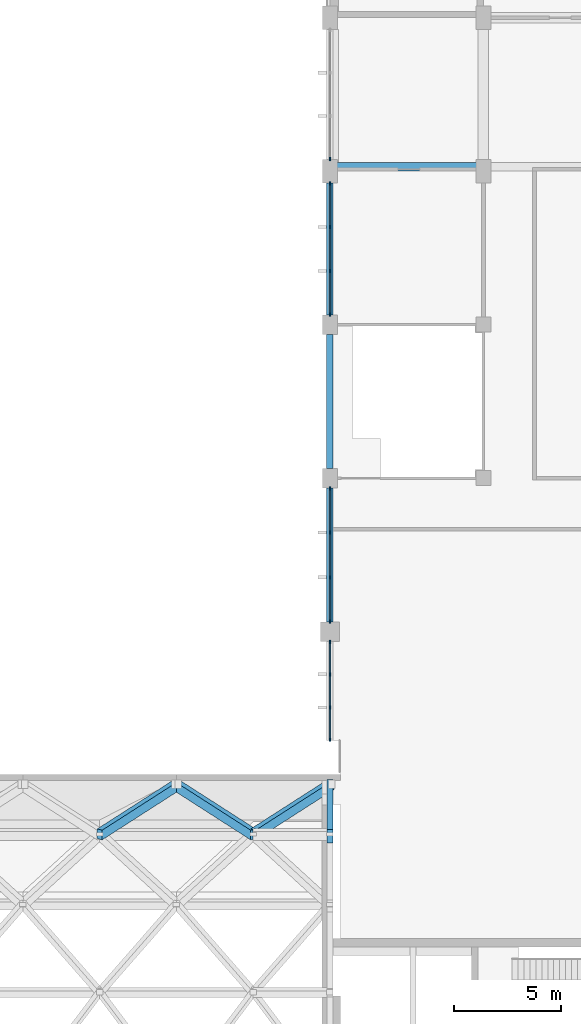
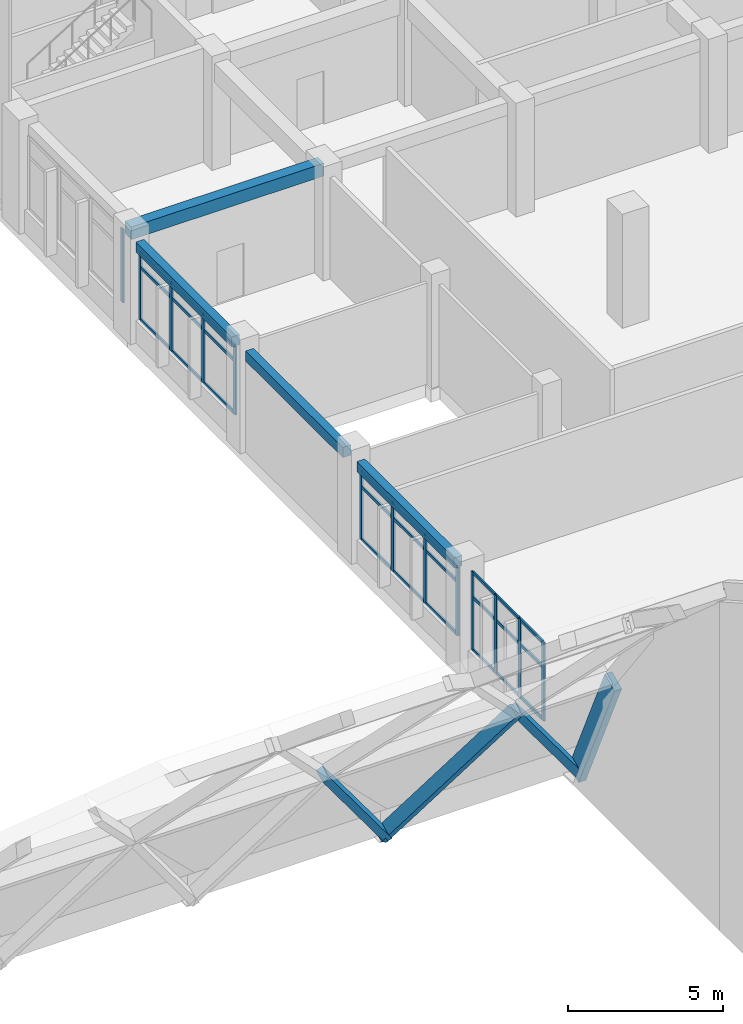
# One storey, part 15 of 52: 43 members, 5 beams, 4 elements without a shape of their own.
"""IFC4 building model written with IfcOpenShell, lengths in metres."""

from ifc_helpers import new_model, si_unit, direction, frame, origin, origin_2d, place, context, subcontext, project, spatial, rectangle, extrude, material, layer, layer_set, material_profile, profile_set, type_object, element, aggregate, save


model = new_model("IFC4")

# Units and contexts
model_context = context("Model", 3, precision=1e-05, world=origin(), true_north=direction((0.0, 1.0)))
body_context = subcontext(model_context, "Body", "Model", "MODEL_VIEW")
ifc_project = project(units=[si_unit("LENGTHUNIT", "METRE"), si_unit("AREAUNIT", "SQUARE_METRE"), si_unit("VOLUMEUNIT", "CUBIC_METRE"), si_unit("PLANEANGLEUNIT", "RADIAN"), si_unit("MASSUNIT", "GRAM", prefix="KILO")], contexts=[model_context])

# Site, building, storey
site_placement = place(None, origin())
site = spatial("IfcSite", under=ifc_project, at=site_placement, CompositionType="ELEMENT")
building_placement = place(site_placement, origin())
building = spatial("IfcBuilding", under=site, at=building_placement, Name="Vermilion Court Aquatics Centre", CompositionType="ELEMENT")
storey_placement = place(building_placement, frame((0.0, 0.0, 12.0)))
storey = spatial("IfcBuildingStorey", under=building, at=storey_placement, Name="L02", CompositionType="ELEMENT", Elevation=12.0)

# Beam
ifc_material_1 = material(Name="Concrete 6000 psi", Category="concrete")
ifc_material_profile_1 = material_profile(ifc_material_1, rectangle(XDim=0.39990234375, YDim=0.5, at=origin_2d()), Name="RC 400x500")
ifc_profile_set_1 = profile_set([ifc_material_profile_1], Name="Concrete 6000 psi")
beam_type_1 = type_object("IfcBeamType", Name="North block spandrel beam 400x500", PredefinedType="BEAM", material=ifc_profile_set_1)
beam_1_placement = place(storey_placement, frame((144.0, 93.800048828125, 3.949951171875), z_axis=(1.0, 0.0, 0.0), x_axis=(0.0, 1.0, 0.0)))
element("IfcBeam", 1, at=beam_1_placement, inside=storey, type_object=beam_type_1, Name="Spandrel beam L03 x93.6", PredefinedType="BEAM", context=body_context, shape_type="SweptSolid", body=[
    extrude(rectangle(XDim=0.39990234375, YDim=0.5, at=origin_2d()), origin(), (0.0, 0.0, 1.0), 7.199951171875),
])

# Curtain wall, members
ifc_material_2 = material(Name="Aluminium 6063-T5", Category="aluminium")
ifc_layer = layer(ifc_material_2, 0.14990234375)
ifc_layer_set = layer_set([ifc_layer], Name="Podium curtain wall bay, 1800 module")
curtain_wall_type = type_object("IfcCurtainWallType", Name="Podium curtain wall bay, 1800 module", PredefinedType="NOTDEFINED", material=ifc_layer_set)
curtain_wall_1_placement = place(storey_placement, origin())
curtain_wall_1 = element("IfcCurtainWall", 2, at=curtain_wall_1_placement, inside=storey, type_object=curtain_wall_type, Name="Curtain wall L02", PredefinedType="NOTDEFINED")
ifc_material_3 = material(Name="Aluminium 6063-T5", Category="aluminium")
ifc_material_profile_2 = material_profile(ifc_material_3, rectangle(XDim=0.06005859375, YDim=0.159912109375, at=origin_2d()), Name="Mullion 60x160")
ifc_profile_set_2 = profile_set([ifc_material_profile_2], Name="Aluminium 6063-T5")
member_type_1 = type_object("IfcMemberType", Name="Podium curtain wall mullion 60x160", PredefinedType="MULLION", material=ifc_profile_set_2)
member_1_placement = place(storey_placement, frame((144.0, 66.929931640625, 0.89990234375), z_axis=(0.0, 0.0, 1.0), x_axis=(-1.0, 0.0, 0.0)))
member_1 = element("IfcMember", 3, at=member_1_placement, type_object=member_type_1, Name="PG2 mullion 1", PredefinedType="MULLION", context=body_context, shape_type="SweptSolid", body=[
    extrude(rectangle(XDim=0.06005859375, YDim=0.159912109375, at=origin_2d()), origin(), (0.0, 0.0, 1.0), 3.10009765625),
])
member_2_placement = place(storey_placement, frame((144.0, 68.449951171875, 0.89990234375), z_axis=(0.0, 0.0, 1.0), x_axis=(-1.0, 0.0, 0.0)))
member_2 = element("IfcMember", 4, at=member_2_placement, type_object=member_type_1, Name="PG2 mullion 2", PredefinedType="MULLION", context=body_context, shape_type="SweptSolid", body=[
    extrude(rectangle(XDim=0.06005859375, YDim=0.159912109375, at=origin_2d()), origin(), (0.0, 0.0, 1.0), 3.10009765625),
])
member_3_placement = place(storey_placement, frame((144.0, 70.0, 0.89990234375), z_axis=(0.0, 0.0, 1.0), x_axis=(-1.0, 0.0, 0.0)))
member_3 = element("IfcMember", 5, at=member_3_placement, type_object=member_type_1, Name="PG2 mullion 3", PredefinedType="MULLION", context=body_context, shape_type="SweptSolid", body=[
    extrude(rectangle(XDim=0.06005859375, YDim=0.159912109375, at=origin_2d()), origin(), (0.0, 0.0, 1.0), 3.10009765625),
])
member_4_placement = place(storey_placement, frame((144.0, 71.52001953125, 0.89990234375), z_axis=(0.0, 0.0, 1.0), x_axis=(-1.0, 0.0, 0.0)))
member_4 = element("IfcMember", 6, at=member_4_placement, type_object=member_type_1, Name="PG2 mullion 4", PredefinedType="MULLION", context=body_context, shape_type="SweptSolid", body=[
    extrude(rectangle(XDim=0.06005859375, YDim=0.159912109375, at=origin_2d()), origin(), (0.0, 0.0, 1.0), 3.10009765625),
])

curtain_wall_2_placement = place(storey_placement, origin())
curtain_wall_2 = element("IfcCurtainWall", 7, at=curtain_wall_2_placement, inside=storey, type_object=curtain_wall_type, Name="Curtain wall L02", PredefinedType="NOTDEFINED")
member_5_placement = place(storey_placement, frame((144.0, 72.47998046875, 0.89990234375), z_axis=(0.0, 0.0, 1.0), x_axis=(-1.0, 0.0, 0.0)))
member_5 = element("IfcMember", 8, at=member_5_placement, type_object=member_type_1, Name="PG2 mullion 1", PredefinedType="MULLION", context=body_context, shape_type="SweptSolid", body=[
    extrude(rectangle(XDim=0.06005859375, YDim=0.159912109375, at=origin_2d()), origin(), (0.0, 0.0, 1.0), 2.7001953125),
])
member_6_placement = place(storey_placement, frame((144.0, 74.550048828125, 0.89990234375), z_axis=(0.0, 0.0, 1.0), x_axis=(-1.0, 0.0, 0.0)))
member_6 = element("IfcMember", 9, at=member_6_placement, type_object=member_type_1, Name="PG2 mullion 2", PredefinedType="MULLION", context=body_context, shape_type="SweptSolid", body=[
    extrude(rectangle(XDim=0.06005859375, YDim=0.159912109375, at=origin_2d()), origin(), (0.0, 0.0, 1.0), 2.7001953125),
])
member_7_placement = place(storey_placement, frame((144.0, 76.64990234375, 0.89990234375), z_axis=(0.0, 0.0, 1.0), x_axis=(-1.0, 0.0, 0.0)))
member_7 = element("IfcMember", 10, at=member_7_placement, type_object=member_type_1, Name="PG2 mullion 3", PredefinedType="MULLION", context=body_context, shape_type="SweptSolid", body=[
    extrude(rectangle(XDim=0.06005859375, YDim=0.159912109375, at=origin_2d()), origin(), (0.0, 0.0, 1.0), 2.7001953125),
])
member_8_placement = place(storey_placement, frame((144.0, 78.719970703125, 0.89990234375), z_axis=(0.0, 0.0, 1.0), x_axis=(-1.0, 0.0, 0.0)))
member_8 = element("IfcMember", 11, at=member_8_placement, type_object=member_type_1, Name="PG2 mullion 4", PredefinedType="MULLION", context=body_context, shape_type="SweptSolid", body=[
    extrude(rectangle(XDim=0.06005859375, YDim=0.159912109375, at=origin_2d()), origin(), (0.0, 0.0, 1.0), 2.7001953125),
])

curtain_wall_3_placement = place(storey_placement, origin())
curtain_wall_3 = element("IfcCurtainWall", 12, at=curtain_wall_3_placement, inside=storey, type_object=curtain_wall_type, Name="Curtain wall L02", PredefinedType="NOTDEFINED")
member_9_placement = place(storey_placement, frame((144.0, 86.8798828125, 0.89990234375), z_axis=(0.0, 0.0, 1.0), x_axis=(-1.0, 0.0, 0.0)))
member_9 = element("IfcMember", 13, at=member_9_placement, type_object=member_type_1, Name="PG2 mullion 1", PredefinedType="MULLION", context=body_context, shape_type="SweptSolid", body=[
    extrude(rectangle(XDim=0.06005859375, YDim=0.159912109375, at=origin_2d()), origin(), (0.0, 0.0, 1.0), 2.7001953125),
])
member_10_placement = place(storey_placement, frame((144.0, 88.916748046875, 0.89990234375), z_axis=(0.0, 0.0, 1.0), x_axis=(-1.0, 0.0, 0.0)))
member_10 = element("IfcMember", 14, at=member_10_placement, type_object=member_type_1, Name="PG2 mullion 2", PredefinedType="MULLION", context=body_context, shape_type="SweptSolid", body=[
    extrude(rectangle(XDim=0.06005859375, YDim=0.159912109375, at=origin_2d()), origin(), (0.0, 0.0, 1.0), 2.7001953125),
])
member_11_placement = place(storey_placement, frame((144.0, 90.9833984375, 0.89990234375), z_axis=(0.0, 0.0, 1.0), x_axis=(-1.0, 0.0, 0.0)))
member_11 = element("IfcMember", 15, at=member_11_placement, type_object=member_type_1, Name="PG2 mullion 3", PredefinedType="MULLION", context=body_context, shape_type="SweptSolid", body=[
    extrude(rectangle(XDim=0.06005859375, YDim=0.159912109375, at=origin_2d()), origin(), (0.0, 0.0, 1.0), 2.7001953125),
])
member_12_placement = place(storey_placement, frame((144.0, 93.02001953125, 0.89990234375), z_axis=(0.0, 0.0, 1.0), x_axis=(-1.0, 0.0, 0.0)))
member_12 = element("IfcMember", 16, at=member_12_placement, type_object=member_type_1, Name="PG2 mullion 4", PredefinedType="MULLION", context=body_context, shape_type="SweptSolid", body=[
    extrude(rectangle(XDim=0.06005859375, YDim=0.159912109375, at=origin_2d()), origin(), (0.0, 0.0, 1.0), 2.7001953125),
])

# Curtain wall, member
curtain_wall_4_placement = place(storey_placement, origin())
curtain_wall_4 = element("IfcCurtainWall", 17, at=curtain_wall_4_placement, inside=storey, type_object=curtain_wall_type, Name="Curtain wall L02", PredefinedType="NOTDEFINED")
member_13_placement = place(storey_placement, frame((144.0, 94.179931640625, 0.89990234375), z_axis=(0.0, 0.0, 1.0), x_axis=(-1.0, 0.0, 0.0)))
member_13 = element("IfcMember", 18, at=member_13_placement, type_object=member_type_1, Name="PG2 mullion 1", PredefinedType="MULLION", context=body_context, shape_type="SweptSolid", body=[
    extrude(rectangle(XDim=0.06005859375, YDim=0.159912109375, at=origin_2d()), origin(), (0.0, 0.0, 1.0), 2.900146484375),
])
aggregate(curtain_wall_4, [member_13])

# Member
ifc_material_4 = material(Name="Aluminium 6063-T5", Category="aluminium")
ifc_material_profile_3 = material_profile(ifc_material_4, rectangle(XDim=0.06005859375, YDim=0.1201171875, at=origin_2d()), Name="Transom 60x120")
ifc_profile_set_3 = profile_set([ifc_material_profile_3], Name="Aluminium 6063-T5")
member_type_2 = type_object("IfcMemberType", Name="Podium curtain wall transom 60x120", PredefinedType="USERDEFINED", material=ifc_profile_set_3)
member_14_placement = place(storey_placement, frame((144.0, 66.9599609375, 0.929931640625), z_axis=(0.0, 1.0, 0.0), x_axis=(-1.0, 0.0, 0.0)))
member_14 = element("IfcMember", 19, at=member_14_placement, type_object=member_type_2, Name="PG2 transom 1.1", ObjectType="TRANSOM", PredefinedType="USERDEFINED", context=body_context, shape_type="SweptSolid", body=[
    extrude(rectangle(XDim=0.06005859375, YDim=0.1201171875, at=origin_2d()), origin(), (0.0, 0.0, 1.0), 1.4599609375),
])

member_15_placement = place(storey_placement, frame((144.0, 66.9599609375, 3.0), z_axis=(0.0, 1.0, 0.0), x_axis=(-1.0, 0.0, 0.0)))
member_15 = element("IfcMember", 20, at=member_15_placement, type_object=member_type_2, Name="PG2 transom 1.2", ObjectType="TRANSOM", PredefinedType="USERDEFINED", context=body_context, shape_type="SweptSolid", body=[
    extrude(rectangle(XDim=0.06005859375, YDim=0.1201171875, at=origin_2d()), origin(), (0.0, 0.0, 1.0), 1.4599609375),
])

member_16_placement = place(storey_placement, frame((144.0, 66.9599609375, 3.969970703125), z_axis=(0.0, 1.0, 0.0), x_axis=(-1.0, 0.0, 0.0)))
member_16 = element("IfcMember", 21, at=member_16_placement, type_object=member_type_2, Name="PG2 transom 1.3", ObjectType="TRANSOM", PredefinedType="USERDEFINED", context=body_context, shape_type="SweptSolid", body=[
    extrude(rectangle(XDim=0.06005859375, YDim=0.1201171875, at=origin_2d()), origin(), (0.0, 0.0, 1.0), 1.4599609375),
])

member_17_placement = place(storey_placement, frame((144.0, 68.47998046875, 0.929931640625), z_axis=(0.0, 1.0, 0.0), x_axis=(-1.0, 0.0, 0.0)))
member_17 = element("IfcMember", 22, at=member_17_placement, type_object=member_type_2, Name="PG2 transom 2.1", ObjectType="TRANSOM", PredefinedType="USERDEFINED", context=body_context, shape_type="SweptSolid", body=[
    extrude(rectangle(XDim=0.06005859375, YDim=0.1201171875, at=origin_2d()), origin(), (0.0, 0.0, 1.0), 1.489990234375),
])

member_18_placement = place(storey_placement, frame((144.0, 68.47998046875, 3.0), z_axis=(0.0, 1.0, 0.0), x_axis=(-1.0, 0.0, 0.0)))
member_18 = element("IfcMember", 23, at=member_18_placement, type_object=member_type_2, Name="PG2 transom 2.2", ObjectType="TRANSOM", PredefinedType="USERDEFINED", context=body_context, shape_type="SweptSolid", body=[
    extrude(rectangle(XDim=0.06005859375, YDim=0.1201171875, at=origin_2d()), origin(), (0.0, 0.0, 1.0), 1.489990234375),
])

member_19_placement = place(storey_placement, frame((144.0, 68.47998046875, 3.969970703125), z_axis=(0.0, 1.0, 0.0), x_axis=(-1.0, 0.0, 0.0)))
member_19 = element("IfcMember", 24, at=member_19_placement, type_object=member_type_2, Name="PG2 transom 2.3", ObjectType="TRANSOM", PredefinedType="USERDEFINED", context=body_context, shape_type="SweptSolid", body=[
    extrude(rectangle(XDim=0.06005859375, YDim=0.1201171875, at=origin_2d()), origin(), (0.0, 0.0, 1.0), 1.489990234375),
])

member_20_placement = place(storey_placement, frame((144.0, 70.030029296875, 0.929931640625), z_axis=(0.0, 1.0, 0.0), x_axis=(-1.0, 0.0, 0.0)))
member_20 = element("IfcMember", 25, at=member_20_placement, type_object=member_type_2, Name="PG2 transom 3.1", ObjectType="TRANSOM", PredefinedType="USERDEFINED", context=body_context, shape_type="SweptSolid", body=[
    extrude(rectangle(XDim=0.06005859375, YDim=0.1201171875, at=origin_2d()), origin(), (0.0, 0.0, 1.0), 1.4599609375),
])

member_21_placement = place(storey_placement, frame((144.0, 70.030029296875, 3.0), z_axis=(0.0, 1.0, 0.0), x_axis=(-1.0, 0.0, 0.0)))
member_21 = element("IfcMember", 26, at=member_21_placement, type_object=member_type_2, Name="PG2 transom 3.2", ObjectType="TRANSOM", PredefinedType="USERDEFINED", context=body_context, shape_type="SweptSolid", body=[
    extrude(rectangle(XDim=0.06005859375, YDim=0.1201171875, at=origin_2d()), origin(), (0.0, 0.0, 1.0), 1.4599609375),
])

member_22_placement = place(storey_placement, frame((144.0, 70.030029296875, 3.969970703125), z_axis=(0.0, 1.0, 0.0), x_axis=(-1.0, 0.0, 0.0)))
member_22 = element("IfcMember", 27, at=member_22_placement, type_object=member_type_2, Name="PG2 transom 3.3", ObjectType="TRANSOM", PredefinedType="USERDEFINED", context=body_context, shape_type="SweptSolid", body=[
    extrude(rectangle(XDim=0.06005859375, YDim=0.1201171875, at=origin_2d()), origin(), (0.0, 0.0, 1.0), 1.4599609375),
])

aggregate(curtain_wall_1, [member_1, member_2, member_3, member_4, member_14, member_15, member_16, member_17, member_18, member_19, member_20, member_21, member_22])

member_23_placement = place(storey_placement, frame((144.0, 72.510009765625, 0.929931640625), z_axis=(0.0, 1.0, 0.0), x_axis=(-1.0, 0.0, 0.0)))
member_23 = element("IfcMember", 28, at=member_23_placement, type_object=member_type_2, Name="PG2 transom 1.1", ObjectType="TRANSOM", PredefinedType="USERDEFINED", context=body_context, shape_type="SweptSolid", body=[
    extrude(rectangle(XDim=0.06005859375, YDim=0.1201171875, at=origin_2d()), origin(), (0.0, 0.0, 1.0), 2.010009765625),
])

member_24_placement = place(storey_placement, frame((144.0, 72.510009765625, 3.0), z_axis=(0.0, 1.0, 0.0), x_axis=(-1.0, 0.0, 0.0)))
member_24 = element("IfcMember", 29, at=member_24_placement, type_object=member_type_2, Name="PG2 transom 1.2", ObjectType="TRANSOM", PredefinedType="USERDEFINED", context=body_context, shape_type="SweptSolid", body=[
    extrude(rectangle(XDim=0.06005859375, YDim=0.1201171875, at=origin_2d()), origin(), (0.0, 0.0, 1.0), 2.010009765625),
])

member_25_placement = place(storey_placement, frame((144.0, 72.510009765625, 3.570068359375), z_axis=(0.0, 1.0, 0.0), x_axis=(-1.0, 0.0, 0.0)))
member_25 = element("IfcMember", 30, at=member_25_placement, type_object=member_type_2, Name="PG2 transom 1.3", ObjectType="TRANSOM", PredefinedType="USERDEFINED", context=body_context, shape_type="SweptSolid", body=[
    extrude(rectangle(XDim=0.06005859375, YDim=0.1201171875, at=origin_2d()), origin(), (0.0, 0.0, 1.0), 2.010009765625),
])

member_26_placement = place(storey_placement, frame((144.0, 74.580078125, 0.929931640625), z_axis=(0.0, 1.0, 0.0), x_axis=(-1.0, 0.0, 0.0)))
member_26 = element("IfcMember", 31, at=member_26_placement, type_object=member_type_2, Name="PG2 transom 2.1", ObjectType="TRANSOM", PredefinedType="USERDEFINED", context=body_context, shape_type="SweptSolid", body=[
    extrude(rectangle(XDim=0.06005859375, YDim=0.1201171875, at=origin_2d()), origin(), (0.0, 0.0, 1.0), 2.0400390625),
])

member_27_placement = place(storey_placement, frame((144.0, 74.580078125, 3.0), z_axis=(0.0, 1.0, 0.0), x_axis=(-1.0, 0.0, 0.0)))
member_27 = element("IfcMember", 32, at=member_27_placement, type_object=member_type_2, Name="PG2 transom 2.2", ObjectType="TRANSOM", PredefinedType="USERDEFINED", context=body_context, shape_type="SweptSolid", body=[
    extrude(rectangle(XDim=0.06005859375, YDim=0.1201171875, at=origin_2d()), origin(), (0.0, 0.0, 1.0), 2.0400390625),
])

member_28_placement = place(storey_placement, frame((144.0, 74.580078125, 3.570068359375), z_axis=(0.0, 1.0, 0.0), x_axis=(-1.0, 0.0, 0.0)))
member_28 = element("IfcMember", 33, at=member_28_placement, type_object=member_type_2, Name="PG2 transom 2.3", ObjectType="TRANSOM", PredefinedType="USERDEFINED", context=body_context, shape_type="SweptSolid", body=[
    extrude(rectangle(XDim=0.06005859375, YDim=0.1201171875, at=origin_2d()), origin(), (0.0, 0.0, 1.0), 2.0400390625),
])

member_29_placement = place(storey_placement, frame((144.0, 76.679931640625, 0.929931640625), z_axis=(0.0, 1.0, 0.0), x_axis=(-1.0, 0.0, 0.0)))
member_29 = element("IfcMember", 34, at=member_29_placement, type_object=member_type_2, Name="PG2 transom 3.1", ObjectType="TRANSOM", PredefinedType="USERDEFINED", context=body_context, shape_type="SweptSolid", body=[
    extrude(rectangle(XDim=0.06005859375, YDim=0.1201171875, at=origin_2d()), origin(), (0.0, 0.0, 1.0), 2.010009765625),
])

member_30_placement = place(storey_placement, frame((144.0, 76.679931640625, 3.0), z_axis=(0.0, 1.0, 0.0), x_axis=(-1.0, 0.0, 0.0)))
member_30 = element("IfcMember", 35, at=member_30_placement, type_object=member_type_2, Name="PG2 transom 3.2", ObjectType="TRANSOM", PredefinedType="USERDEFINED", context=body_context, shape_type="SweptSolid", body=[
    extrude(rectangle(XDim=0.06005859375, YDim=0.1201171875, at=origin_2d()), origin(), (0.0, 0.0, 1.0), 2.010009765625),
])

member_31_placement = place(storey_placement, frame((144.0, 76.679931640625, 3.570068359375), z_axis=(0.0, 1.0, 0.0), x_axis=(-1.0, 0.0, 0.0)))
member_31 = element("IfcMember", 36, at=member_31_placement, type_object=member_type_2, Name="PG2 transom 3.3", ObjectType="TRANSOM", PredefinedType="USERDEFINED", context=body_context, shape_type="SweptSolid", body=[
    extrude(rectangle(XDim=0.06005859375, YDim=0.1201171875, at=origin_2d()), origin(), (0.0, 0.0, 1.0), 2.010009765625),
])

aggregate(curtain_wall_2, [member_5, member_6, member_7, member_8, member_23, member_24, member_25, member_26, member_27, member_28, member_29, member_30, member_31])

member_32_placement = place(storey_placement, frame((144.0, 86.909912109375, 0.929931640625), z_axis=(0.0, 1.0, 0.0), x_axis=(-1.0, 0.0, 0.0)))
member_32 = element("IfcMember", 37, at=member_32_placement, type_object=member_type_2, Name="PG2 transom 1.1", ObjectType="TRANSOM", PredefinedType="USERDEFINED", context=body_context, shape_type="SweptSolid", body=[
    extrude(rectangle(XDim=0.06005859375, YDim=0.1201171875, at=origin_2d()), origin(), (0.0, 0.0, 1.0), 1.976806640625),
])

member_33_placement = place(storey_placement, frame((144.0, 86.909912109375, 3.0), z_axis=(0.0, 1.0, 0.0), x_axis=(-1.0, 0.0, 0.0)))
member_33 = element("IfcMember", 38, at=member_33_placement, type_object=member_type_2, Name="PG2 transom 1.2", ObjectType="TRANSOM", PredefinedType="USERDEFINED", context=body_context, shape_type="SweptSolid", body=[
    extrude(rectangle(XDim=0.06005859375, YDim=0.1201171875, at=origin_2d()), origin(), (0.0, 0.0, 1.0), 1.976806640625),
])

member_34_placement = place(storey_placement, frame((144.0, 86.909912109375, 3.570068359375), z_axis=(0.0, 1.0, 0.0), x_axis=(-1.0, 0.0, 0.0)))
member_34 = element("IfcMember", 39, at=member_34_placement, type_object=member_type_2, Name="PG2 transom 1.3", ObjectType="TRANSOM", PredefinedType="USERDEFINED", context=body_context, shape_type="SweptSolid", body=[
    extrude(rectangle(XDim=0.06005859375, YDim=0.1201171875, at=origin_2d()), origin(), (0.0, 0.0, 1.0), 1.976806640625),
])

member_35_placement = place(storey_placement, frame((144.0, 88.94677734375, 0.929931640625), z_axis=(0.0, 1.0, 0.0), x_axis=(-1.0, 0.0, 0.0)))
member_35 = element("IfcMember", 40, at=member_35_placement, type_object=member_type_2, Name="PG2 transom 2.1", ObjectType="TRANSOM", PredefinedType="USERDEFINED", context=body_context, shape_type="SweptSolid", body=[
    extrude(rectangle(XDim=0.06005859375, YDim=0.1201171875, at=origin_2d()), origin(), (0.0, 0.0, 1.0), 2.006591796875),
])

member_36_placement = place(storey_placement, frame((144.0, 88.94677734375, 3.0), z_axis=(0.0, 1.0, 0.0), x_axis=(-1.0, 0.0, 0.0)))
member_36 = element("IfcMember", 41, at=member_36_placement, type_object=member_type_2, Name="PG2 transom 2.2", ObjectType="TRANSOM", PredefinedType="USERDEFINED", context=body_context, shape_type="SweptSolid", body=[
    extrude(rectangle(XDim=0.06005859375, YDim=0.1201171875, at=origin_2d()), origin(), (0.0, 0.0, 1.0), 2.006591796875),
])

member_37_placement = place(storey_placement, frame((144.0, 88.94677734375, 3.570068359375), z_axis=(0.0, 1.0, 0.0), x_axis=(-1.0, 0.0, 0.0)))
member_37 = element("IfcMember", 42, at=member_37_placement, type_object=member_type_2, Name="PG2 transom 2.3", ObjectType="TRANSOM", PredefinedType="USERDEFINED", context=body_context, shape_type="SweptSolid", body=[
    extrude(rectangle(XDim=0.06005859375, YDim=0.1201171875, at=origin_2d()), origin(), (0.0, 0.0, 1.0), 2.006591796875),
])

member_38_placement = place(storey_placement, frame((144.0, 91.013427734375, 0.929931640625), z_axis=(0.0, 1.0, 0.0), x_axis=(-1.0, 0.0, 0.0)))
member_38 = element("IfcMember", 43, at=member_38_placement, type_object=member_type_2, Name="PG2 transom 3.1", ObjectType="TRANSOM", PredefinedType="USERDEFINED", context=body_context, shape_type="SweptSolid", body=[
    extrude(rectangle(XDim=0.06005859375, YDim=0.1201171875, at=origin_2d()), origin(), (0.0, 0.0, 1.0), 1.9765625),
])

member_39_placement = place(storey_placement, frame((144.0, 91.013427734375, 3.0), z_axis=(0.0, 1.0, 0.0), x_axis=(-1.0, 0.0, 0.0)))
member_39 = element("IfcMember", 44, at=member_39_placement, type_object=member_type_2, Name="PG2 transom 3.2", ObjectType="TRANSOM", PredefinedType="USERDEFINED", context=body_context, shape_type="SweptSolid", body=[
    extrude(rectangle(XDim=0.06005859375, YDim=0.1201171875, at=origin_2d()), origin(), (0.0, 0.0, 1.0), 1.9765625),
])

member_40_placement = place(storey_placement, frame((144.0, 91.013427734375, 3.570068359375), z_axis=(0.0, 1.0, 0.0), x_axis=(-1.0, 0.0, 0.0)))
member_40 = element("IfcMember", 45, at=member_40_placement, type_object=member_type_2, Name="PG2 transom 3.3", ObjectType="TRANSOM", PredefinedType="USERDEFINED", context=body_context, shape_type="SweptSolid", body=[
    extrude(rectangle(XDim=0.06005859375, YDim=0.1201171875, at=origin_2d()), origin(), (0.0, 0.0, 1.0), 1.9765625),
])

aggregate(curtain_wall_3, [member_9, member_10, member_11, member_12, member_32, member_33, member_34, member_35, member_36, member_37, member_38, member_39, member_40])

# Beams
ifc_material_5 = material(Name="Concrete 5000 psi", Category="concrete")
ifc_material_profile_4 = material_profile(ifc_material_5, rectangle(XDim=0.300048828125, YDim=0.39990234375, at=origin_2d()), Name="RC 300x400")
ifc_profile_set_4 = profile_set([ifc_material_profile_4], Name="Concrete 5000 psi")
beam_type_2 = type_object("IfcBeamType", Name="Podium spandrel beam RC 300x400", PredefinedType="BEAM", material=ifc_profile_set_4)
for number, where, z_axis, x_axis, name in (
    (46, (144.0, 72.449951171875, 3.800048828125), (0.0, 1.0, 0.0), (-1.0, 0.0, 0.0), "Spandrel beam L02"),
    (47, (144.0, 79.64990234375, 3.800048828125), (0.0, 1.0, 0.0), (-1.0, 0.0, 0.0), "Spandrel beam L02"),
):
    element("IfcBeam", number, at=place(storey_placement, frame(where, z_axis=z_axis, x_axis=x_axis)), inside=storey, type_object=beam_type_2, Name=name, PredefinedType="BEAM", context=body_context, shape_type="SweptSolid", body=[
        extrude(rectangle(XDim=0.300048828125, YDim=0.39990234375, at=origin_2d()), origin(), (0.0, 0.0, 1.0), 6.300048828125),
    ])
beam_2_placement = place(storey_placement, frame((144.0, 86.85009765625, 3.800048828125), z_axis=(0.0, 1.0, 0.0), x_axis=(-1.0, 0.0, 0.0)))
element("IfcBeam", 48, at=beam_2_placement, inside=storey, type_object=beam_type_2, Name="Spandrel beam L02", PredefinedType="BEAM", context=body_context, shape_type="SweptSolid", body=[
    extrude(rectangle(XDim=0.300048828125, YDim=0.39990234375, at=origin_2d()), origin(), (0.0, 0.0, 1.0), 6.199951171875),
])
ifc_material_6 = material(Name="Glulam 24F-V4 Douglas fir", Category="wood")
ifc_material_profile_5 = material_profile(ifc_material_6, rectangle(XDim=0.27294921875, YDim=0.699951171875, at=origin_2d()), Name="GL24F 273x700")
ifc_profile_set_5 = profile_set([ifc_material_profile_5], Name="Glulam 24F-V4 Douglas fir")
beam_type_3 = type_object("IfcBeamType", Name="Roof gable arch rib GL24F 273x700", PredefinedType="BEAM", material=ifc_profile_set_5)
beam_3_placement = place(storey_placement, frame((144.0, 62.411865234375, 5.169677734375), z_axis=(0.0, 0.420151136212, -0.907454143602), x_axis=(-1.0, 0.0, 0.0)))
element("IfcBeam", 49, at=beam_3_placement, inside=storey, type_object=beam_type_3, Name="Gable arch rib GR-R11-E", PredefinedType="BEAM", context=body_context, shape_type="SweptSolid", body=[
    extrude(rectangle(XDim=0.27294921875, YDim=0.699951171875, at=origin_2d()), origin(), (0.0, 0.0, 1.0), 5.537109375),
])

# Members
ifc_material_7 = material(Name="Glulam 24F-V4 Douglas fir", Category="wood")
ifc_material_profile_6 = material_profile(ifc_material_7, rectangle(XDim=0.27294921875, YDim=0.5, at=origin_2d()), Name="GL24F 273x500")
ifc_profile_set_6 = profile_set([ifc_material_profile_6], Name="Glulam 24F-V4 Douglas fir")
member_type_3 = type_object("IfcMemberType", Name="Roof glulam diagonal GL24F 273x500", PredefinedType="BRACE", material=ifc_profile_set_6)
member_41_placement = place(storey_placement, frame((133.199951171875, 62.489990234375, 5.239013671875), z_axis=(0.547810111411, 0.35151027822, -0.759173633724), x_axis=(-0.836602702247, 0.230192523341, -0.497098904436)))
element("IfcMember", 50, at=member_41_placement, inside=storey, type_object=member_type_3, Name="Gridshell member GM-D11-33", PredefinedType="BRACE", context=body_context, shape_type="SweptSolid", body=[
    extrude(rectangle(XDim=0.27294921875, YDim=0.5, at=origin_2d()), origin(), (0.0, 0.0, 1.0), 6.72607421875),
])
member_42_placement = place(storey_placement, frame((140.39990234375, 62.489990234375, 5.239013671875), z_axis=(-0.547784705503, 0.351517267781, -0.759188729414), x_axis=(-0.83661933782, -0.230161099811, 0.497085457159)))
element("IfcMember", 51, at=member_42_placement, inside=storey, type_object=member_type_3, Name="Gridshell member GM-D11-34", PredefinedType="BRACE", context=body_context, shape_type="SweptSolid", body=[
    extrude(rectangle(XDim=0.27294921875, YDim=0.5, at=origin_2d()), origin(), (0.0, 0.0, 1.0), 6.725830078125),
])
member_43_placement = place(storey_placement, frame((140.39990234375, 62.489990234375, 5.239013671875), z_axis=(0.547810111411, 0.35151027822, -0.759173633724), x_axis=(-0.836602702247, 0.230192523341, -0.497098904436)))
element("IfcMember", 52, at=member_43_placement, inside=storey, type_object=member_type_3, Name="Gridshell member GM-D11-35", PredefinedType="BRACE", context=body_context, shape_type="SweptSolid", body=[
    extrude(rectangle(XDim=0.27294921875, YDim=0.5, at=origin_2d()), origin(), (0.0, 0.0, 1.0), 6.72607421875),
])

save(model, "model.ifc")
